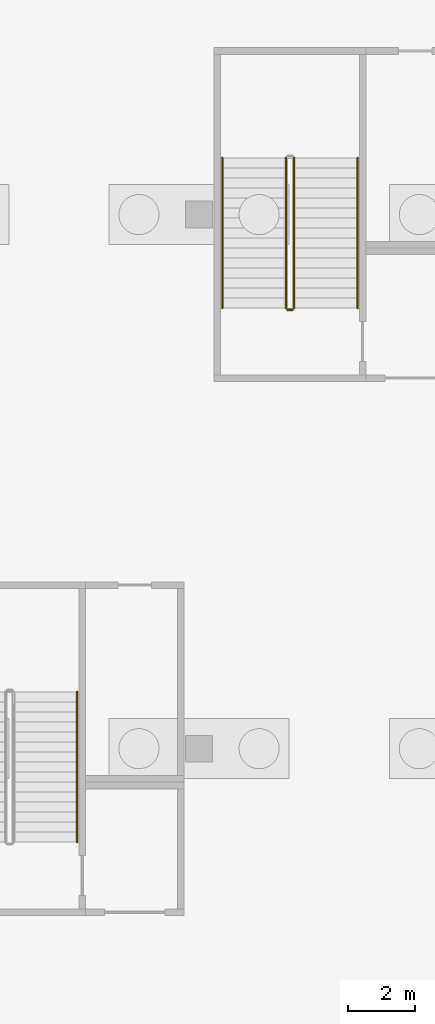
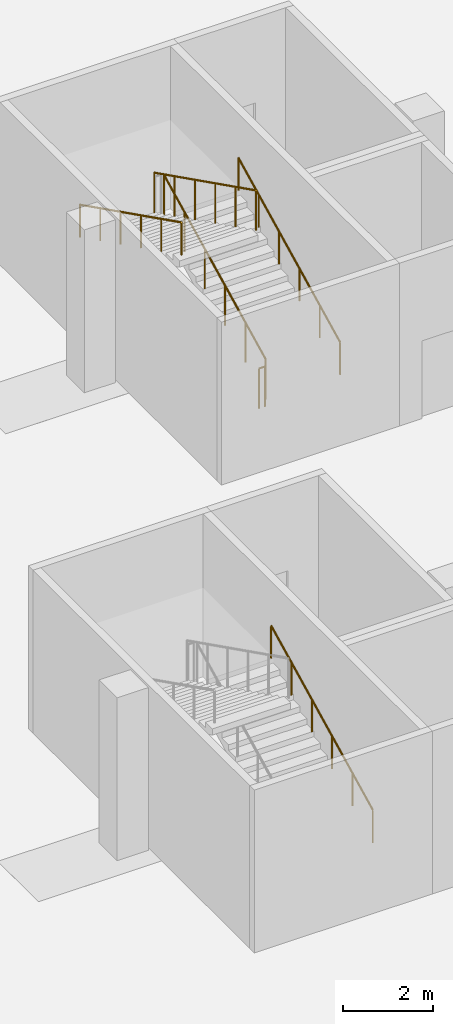
# One storey, part 31 of 46: 6 railings.
"""IFC4 building model written with IfcOpenShell, lengths in metres."""

from ifc_helpers import new_model, si_unit, direction, frame, origin, origin_2d, place, context, subcontext, project, spatial, circle, extrude, material, type_object, element, save


model = new_model("IFC4")

# Units and contexts
model_context = context("Model", 3, precision=1e-05, world=origin(), true_north=direction((0.0, 1.0)))
body_context = subcontext(model_context, "Body", "Model", "MODEL_VIEW")
ifc_project = project(units=[si_unit("LENGTHUNIT", "METRE"), si_unit("AREAUNIT", "SQUARE_METRE"), si_unit("VOLUMEUNIT", "CUBIC_METRE"), si_unit("PLANEANGLEUNIT", "RADIAN"), si_unit("MASSUNIT", "GRAM", prefix="KILO")], contexts=[model_context])

# Site, building, storey
site_placement = place(None, origin())
site = spatial("IfcSite", under=ifc_project, at=site_placement, CompositionType="ELEMENT")
building_placement = place(site_placement, origin())
building = spatial("IfcBuilding", under=site, at=building_placement, Name="Tamra Quay Hotel Tower", CompositionType="ELEMENT")
storey_placement = place(building_placement, frame((0.0, 0.0, -12.0)))
storey = spatial("IfcBuildingStorey", under=building, at=storey_placement, Name="B3", CompositionType="ELEMENT", Elevation=-12.0)

# Railings
ifc_material_1 = material(Name="Basement stair guard 1100")
railing_type_1 = type_object("IfcRailingType", Name="Basement stair guard 1100", PredefinedType="GUARDRAIL", material=ifc_material_1)
railing_1_placement = place(storey_placement, frame((-52.64990234375, -50.800048828125, 0.14990234375)))
element("IfcRailing", 1, at=railing_1_placement, inside=storey, type_object=railing_type_1, Name="BSG", PredefinedType="GUARDRAIL", context=body_context, shape_type="SweptSolid", body=[
    extrude(circle(Radius=0.02392578125, at=origin_2d()), frame((0.0, 0.0, 1.076171875), z_axis=(0.0, 0.894427191, 0.4472135955), x_axis=(-1.0, 0.0, 0.0)), (0.0, 0.0, 1.0), 5.03125),
    extrude(circle(Radius=0.02099609375, at=origin_2d()), origin(), (0.0, 0.0, 1.0), 1.052001953125),
    extrude(circle(Radius=0.02099609375, at=origin_2d()), frame((0.0, 0.89990234375, 0.449951171875)), (0.0, 0.0, 1.0), 1.052001953125),
    extrude(circle(Radius=0.02099609375, at=origin_2d()), frame((0.0, 1.800048828125, 0.89990234375)), (0.0, 0.0, 1.0), 1.052001953125),
    extrude(circle(Radius=0.02099609375, at=origin_2d()), frame((0.0, 2.699951171875, 1.35009765625)), (0.0, 0.0, 1.0), 1.052001953125),
    extrude(circle(Radius=0.02099609375, at=origin_2d()), frame((0.0, 3.60009765625, 1.800048828125)), (0.0, 0.0, 1.0), 1.052001953125),
    extrude(circle(Radius=0.02099609375, at=origin_2d()), frame((0.0, 4.5, 2.25)), (0.0, 0.0, 1.0), 1.052001953125),
])
railing_2_placement = place(storey_placement, frame((-52.89990234375, -46.300048828125, 2.550048828125)))
element("IfcRailing", 2, at=railing_2_placement, inside=storey, type_object=railing_type_1, Name="BSG", PredefinedType="GUARDRAIL", context=body_context, shape_type="SweptSolid", body=[
    extrude(circle(Radius=0.02392578125, at=origin_2d()), frame((0.0, 0.0, 1.076171875), z_axis=(0.0, -0.894427191, 0.4472135955), x_axis=(1.0, 0.0, 0.0)), (0.0, 0.0, 1.0), 5.03125),
    extrude(circle(Radius=0.02099609375, at=origin_2d()), origin(), (0.0, 0.0, 1.0), 1.052001953125),
    extrude(circle(Radius=0.02099609375, at=origin_2d()), frame((0.0, -0.89990234375, 0.449951171875)), (0.0, 0.0, 1.0), 1.052001953125),
    extrude(circle(Radius=0.02099609375, at=origin_2d()), frame((0.0, -1.800048828125, 0.89990234375)), (0.0, 0.0, 1.0), 1.052001953125),
    extrude(circle(Radius=0.02099609375, at=origin_2d()), frame((0.0, -2.699951171875, 1.35009765625)), (0.0, 0.0, 1.0), 1.052001953125),
    extrude(circle(Radius=0.02099609375, at=origin_2d()), frame((0.0, -3.60009765625, 1.800048828125)), (0.0, 0.0, 1.0), 1.052001953125),
    extrude(circle(Radius=0.02099609375, at=origin_2d()), frame((0.0, -4.5, 2.25)), (0.0, 0.0, 1.0), 1.052001953125),
])
railing_3_placement = place(storey_placement, frame((-52.699951171875, -50.85009765625, 0.0)))
element("IfcRailing", 3, at=railing_3_placement, inside=storey, type_object=railing_type_1, Name="BSG", PredefinedType="GUARDRAIL", context=body_context, shape_type="SweptSolid", body=[
    extrude(circle(Radius=0.02392578125, at=origin_2d()), frame((0.0, 0.0, 1.076171875), z_axis=(-1.0, 0.0, 0.0), x_axis=(0.0, -1.0, 0.0)), (0.0, 0.0, 1.0), 0.150146484375),
    extrude(circle(Radius=0.02099609375, at=origin_2d()), origin(), (0.0, 0.0, 1.0), 1.052001953125),
    extrude(circle(Radius=0.02099609375, at=origin_2d()), frame((-0.150146484375, 0.0, 0.0)), (0.0, 0.0, 1.0), 1.052001953125),
])
ifc_material_2 = material(Name="Basement stair handrail 900")
railing_type_2 = type_object("IfcRailingType", Name="Basement stair handrail 900", PredefinedType="HANDRAIL", material=ifc_material_2)
for number, where, name in (
    (4, (-59.14990234375, -66.800048828125, 0.14990234375), "BSH"),
    (5, (-50.75, -50.800048828125, 0.14990234375), "BSH"),
):
    element("IfcRailing", number, at=place(storey_placement, frame(where)), inside=storey, type_object=railing_type_2, Name=name, PredefinedType="HANDRAIL", context=body_context, shape_type="SweptSolid", body=[
        extrude(circle(Radius=0.02392578125, at=origin_2d()), frame((0.0, 0.0, 0.8759765625), z_axis=(0.0, 0.894427191, 0.4472135955), x_axis=(-1.0, 0.0, 0.0)), (0.0, 0.0, 1.0), 5.03125),
        extrude(circle(Radius=0.02099609375, at=origin_2d()), origin(), (0.0, 0.0, 1.0), 0.851806640625),
        extrude(circle(Radius=0.02099609375, at=origin_2d()), frame((0.0, 0.89990234375, 0.449951171875)), (0.0, 0.0, 1.0), 0.851806640625),
        extrude(circle(Radius=0.02099609375, at=origin_2d()), frame((0.0, 1.800048828125, 0.89990234375)), (0.0, 0.0, 1.0), 0.851806640625),
        extrude(circle(Radius=0.02099609375, at=origin_2d()), frame((0.0, 2.699951171875, 1.35009765625)), (0.0, 0.0, 1.0), 0.851806640625),
        extrude(circle(Radius=0.02099609375, at=origin_2d()), frame((0.0, 3.60009765625, 1.800048828125)), (0.0, 0.0, 1.0), 0.851806640625),
        extrude(circle(Radius=0.02099609375, at=origin_2d()), frame((0.0, 4.5, 2.25)), (0.0, 0.0, 1.0), 0.851806640625),
    ])
railing_4_placement = place(storey_placement, frame((-54.800048828125, -46.300048828125, 2.550048828125)))
element("IfcRailing", 6, at=railing_4_placement, inside=storey, type_object=railing_type_2, Name="BSH", PredefinedType="HANDRAIL", context=body_context, shape_type="SweptSolid", body=[
    extrude(circle(Radius=0.02392578125, at=origin_2d()), frame((0.0, 0.0, 0.8759765625), z_axis=(0.0, -0.894427191, 0.4472135955), x_axis=(1.0, 0.0, 0.0)), (0.0, 0.0, 1.0), 5.03125),
    extrude(circle(Radius=0.02099609375, at=origin_2d()), origin(), (0.0, 0.0, 1.0), 0.851806640625),
    extrude(circle(Radius=0.02099609375, at=origin_2d()), frame((0.0, -0.89990234375, 0.449951171875)), (0.0, 0.0, 1.0), 0.851806640625),
    extrude(circle(Radius=0.02099609375, at=origin_2d()), frame((0.0, -1.800048828125, 0.89990234375)), (0.0, 0.0, 1.0), 0.851806640625),
    extrude(circle(Radius=0.02099609375, at=origin_2d()), frame((0.0, -2.699951171875, 1.35009765625)), (0.0, 0.0, 1.0), 0.851806640625),
    extrude(circle(Radius=0.02099609375, at=origin_2d()), frame((0.0, -3.60009765625, 1.800048828125)), (0.0, 0.0, 1.0), 0.851806640625),
    extrude(circle(Radius=0.02099609375, at=origin_2d()), frame((0.0, -4.5, 2.25)), (0.0, 0.0, 1.0), 0.851806640625),
])

save(model, "model.ifc")
